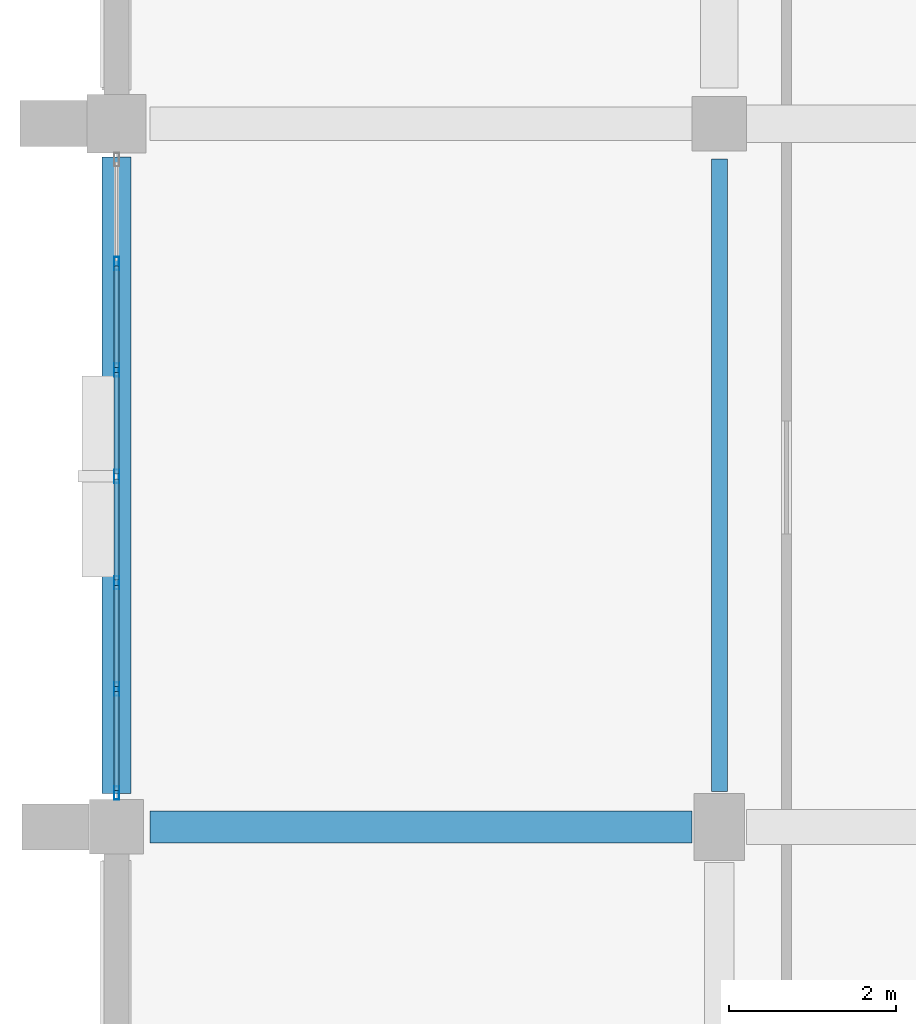
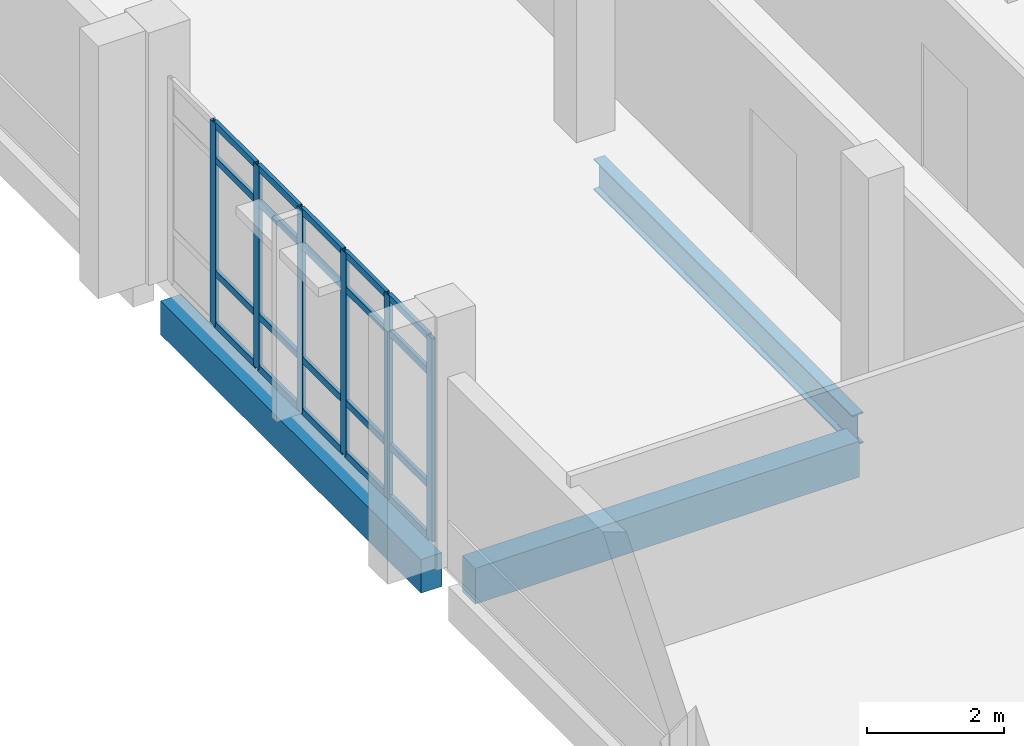
# One storey, part 57 of 124: 26 members, 3 beams, 1 element without a shape of its own.
"""IFC4 building model written with IfcOpenShell, lengths in metres."""

from ifc_helpers import new_model, si_unit, direction, frame, origin, origin_2d, place, context, subcontext, project, spatial, rectangle, hollow_rectangle, i_section, extrude, material, material_profile, profile_set, type_object, element, aggregate, save


model = new_model("IFC4")

# Units and contexts
model_context = context("Model", 3, precision=1e-05, world=origin(), true_north=direction((0.0, 1.0)))
body_context = subcontext(model_context, "Body", "Model", "MODEL_VIEW")
ifc_project = project(units=[si_unit("LENGTHUNIT", "METRE"), si_unit("AREAUNIT", "SQUARE_METRE"), si_unit("VOLUMEUNIT", "CUBIC_METRE"), si_unit("PLANEANGLEUNIT", "RADIAN"), si_unit("MASSUNIT", "GRAM", prefix="KILO")], contexts=[model_context])

# Site, building, storey
site_placement = place(None, origin())
site = spatial("IfcSite", under=ifc_project, at=site_placement, CompositionType="ELEMENT")
building_placement = place(site_placement, origin())
building = spatial("IfcBuilding", under=site, at=building_placement, Name="Kalluvel Institute of Natural Sciences", CompositionType="ELEMENT")
storey_placement = place(building_placement, frame((0.0, 0.0, 9.89990234375)))
storey = spatial("IfcBuildingStorey", under=building, at=storey_placement, Name="L02", CompositionType="ELEMENT", Elevation=9.89990234375)

# Beams
ifc_material_1 = material(Name="Steel E350 Grade 350", Category="steel")
ifc_material_profile_1 = material_profile(ifc_material_1, i_section(OverallWidth=0.18994140625, OverallDepth=0.550048828125, WebThickness=0.01123046875, FlangeThickness=0.019287109375, FilletRadius=0.01806640625, at=origin_2d()), Name="ISMB 550")
ifc_profile_set_1 = profile_set([ifc_material_profile_1], Name="Steel E350 Grade 350")
beam_type_1 = type_object("IfcBeamType", Name="BM-ISMB550", PredefinedType="BEAM", material=ifc_profile_set_1)
beam_1_placement = place(storey_placement, frame((21.199951171875, 86.425048828125, -0.574951171875), z_axis=(0.0, 1.0, 0.0), x_axis=(-1.0, 0.0, 0.0)))
element("IfcBeam", 1, at=beam_1_placement, inside=storey, type_object=beam_type_1, Name="L02 girder GIR-L02-NS-X212-Y860", PredefinedType="BEAM", context=body_context, shape_type="SweptSolid", body=[
    extrude(i_section(OverallWidth=0.18994140625, OverallDepth=0.550048828125, WebThickness=0.01123046875, FlangeThickness=0.019287109375, FilletRadius=0.01806640625, at=origin_2d()), origin(), (0.0, 0.0, 1.0), 7.550048828125),
])
ifc_material_2 = material(Name="Concrete M40", Category="concrete")
ifc_material_profile_2 = material_profile(ifc_material_2, rectangle(XDim=0.3798828125, YDim=0.639892578125, at=origin_2d()), Name="RCB 380x640")
ifc_profile_set_2 = profile_set([ifc_material_profile_2], Name="Concrete M40")
beam_type_2 = type_object("IfcBeamType", Name="BM-RC380x640", PredefinedType="BEAM", material=ifc_profile_set_2)
beam_2_placement = place(storey_placement, frame((14.39990234375, 86.0, -0.619873046875), z_axis=(1.0, 0.0, 0.0), x_axis=(0.0, 1.0, 0.0)))
element("IfcBeam", 2, at=beam_2_placement, inside=storey, type_object=beam_type_2, Name="L02 girder GIR-L02-EW-X140-Y860", PredefinedType="BEAM", context=body_context, shape_type="SweptSolid", body=[
    extrude(rectangle(XDim=0.3798828125, YDim=0.639892578125, at=origin_2d()), origin(), (0.0, 0.0, 1.0), 6.47509765625),
])

# Curtain wall, members
ifc_material_3 = material(Name="Aluminium AW-6063 T6", Category="aluminium")
curtain_wall_type = type_object("IfcCurtainWallType", Name="CW-DRY-45", PredefinedType="USERDEFINED", material=ifc_material_3)
curtain_wall_placement = place(storey_placement, origin())
curtain_wall = element("IfcCurtainWall", 3, at=curtain_wall_placement, inside=storey, type_object=curtain_wall_type, Name="L02 Gothic lancet curtain wall CWA-L02-X140-Y864", ObjectType="UNITISED LANCET FACADE", PredefinedType="USERDEFINED")
ifc_material_profile_3 = material_profile(ifc_material_3, hollow_rectangle(XDim=0.06005859375, YDim=0.159912109375, WallThickness=0.00390625, at=origin_2d()), Name="CWM 60x160")
ifc_profile_set_3 = profile_set([ifc_material_profile_3], Name="Aluminium AW-6063 T6")
member_type_1 = type_object("IfcMemberType", Name="CWM-60x160", PredefinedType="MULLION", material=ifc_profile_set_3)
member_1_placement = place(storey_placement, frame((14.0, 86.405029296875, 0.0), z_axis=(0.0, 0.0, 1.0), x_axis=(-1.0, 0.0, 0.0)))
member_1 = element("IfcMember", 4, at=member_1_placement, type_object=member_type_1, Name="CW-03 mullion 1", PredefinedType="MULLION", context=body_context, shape_type="SweptSolid", body=[
    extrude(hollow_rectangle(XDim=0.06005859375, YDim=0.159912109375, WallThickness=0.00390625, at=origin_2d()), origin(), (0.0, 0.0, 1.0), 3.6201171875),
])
member_2_placement = place(storey_placement, frame((14.0, 87.645751953125, 0.0), z_axis=(0.0, 0.0, 1.0), x_axis=(-1.0, 0.0, 0.0)))
member_2 = element("IfcMember", 5, at=member_2_placement, type_object=member_type_1, Name="CW-03 mullion 2", PredefinedType="MULLION", context=body_context, shape_type="SweptSolid", body=[
    extrude(hollow_rectangle(XDim=0.06005859375, YDim=0.159912109375, WallThickness=0.00390625, at=origin_2d()), origin(), (0.0, 0.0, 1.0), 3.6201171875),
])
member_3_placement = place(storey_placement, frame((14.0, 88.916748046875, 0.0), z_axis=(0.0, 0.0, 1.0), x_axis=(-1.0, 0.0, 0.0)))
member_3 = element("IfcMember", 6, at=member_3_placement, type_object=member_type_1, Name="CW-03 mullion 3", PredefinedType="MULLION", context=body_context, shape_type="SweptSolid", body=[
    extrude(hollow_rectangle(XDim=0.06005859375, YDim=0.159912109375, WallThickness=0.00390625, at=origin_2d()), origin(), (0.0, 0.0, 1.0), 3.6201171875),
])
member_4_placement = place(storey_placement, frame((14.0, 90.1875, 0.0), z_axis=(0.0, 0.0, 1.0), x_axis=(-1.0, 0.0, 0.0)))
member_4 = element("IfcMember", 7, at=member_4_placement, type_object=member_type_1, Name="CW-03 mullion 4", PredefinedType="MULLION", context=body_context, shape_type="SweptSolid", body=[
    extrude(hollow_rectangle(XDim=0.06005859375, YDim=0.159912109375, WallThickness=0.00390625, at=origin_2d()), origin(), (0.0, 0.0, 1.0), 3.6201171875),
])
member_5_placement = place(storey_placement, frame((14.0, 91.458251953125, 0.0), z_axis=(0.0, 0.0, 1.0), x_axis=(-1.0, 0.0, 0.0)))
member_5 = element("IfcMember", 8, at=member_5_placement, type_object=member_type_1, Name="CW-03 mullion 5", PredefinedType="MULLION", context=body_context, shape_type="SweptSolid", body=[
    extrude(hollow_rectangle(XDim=0.06005859375, YDim=0.159912109375, WallThickness=0.00390625, at=origin_2d()), origin(), (0.0, 0.0, 1.0), 3.6201171875),
])
member_6_placement = place(storey_placement, frame((14.0, 92.729248046875, 0.0), z_axis=(0.0, 0.0, 1.0), x_axis=(-1.0, 0.0, 0.0)))
member_6 = element("IfcMember", 9, at=member_6_placement, type_object=member_type_1, Name="CW-03 mullion 6", PredefinedType="MULLION", context=body_context, shape_type="SweptSolid", body=[
    extrude(hollow_rectangle(XDim=0.06005859375, YDim=0.159912109375, WallThickness=0.00390625, at=origin_2d()), origin(), (0.0, 0.0, 1.0), 3.6201171875),
])
ifc_material_profile_4 = material_profile(ifc_material_3, hollow_rectangle(XDim=0.06005859375, YDim=0.1201171875, WallThickness=0.00390625, at=origin_2d()), Name="CWT 60x120")
ifc_profile_set_4 = profile_set([ifc_material_profile_4], Name="Aluminium AW-6063 T6")
member_type_2 = type_object("IfcMemberType", Name="CWT-60x120", PredefinedType="USERDEFINED", material=ifc_profile_set_4)
member_7_placement = place(storey_placement, frame((14.0, 86.43505859375, 0.030029296875), z_axis=(0.0, 1.0, 0.0), x_axis=(-1.0, 0.0, 0.0)))
member_7 = element("IfcMember", 10, at=member_7_placement, type_object=member_type_2, Name="CW-03 transom 1.1", ObjectType="TRANSOM", PredefinedType="USERDEFINED", context=body_context, shape_type="SweptSolid", body=[
    extrude(hollow_rectangle(XDim=0.06005859375, YDim=0.1201171875, WallThickness=0.00390625, at=origin_2d()), origin(), (0.0, 0.0, 1.0), 1.1806640625),
])
member_8_placement = place(storey_placement, frame((14.0, 86.43505859375, 0.9501953125), z_axis=(0.0, 1.0, 0.0), x_axis=(-1.0, 0.0, 0.0)))
member_8 = element("IfcMember", 11, at=member_8_placement, type_object=member_type_2, Name="CW-03 transom 1.2", ObjectType="TRANSOM", PredefinedType="USERDEFINED", context=body_context, shape_type="SweptSolid", body=[
    extrude(hollow_rectangle(XDim=0.06005859375, YDim=0.1201171875, WallThickness=0.00390625, at=origin_2d()), origin(), (0.0, 0.0, 1.0), 1.1806640625),
])
member_9_placement = place(storey_placement, frame((14.0, 86.43505859375, 2.97021484375), z_axis=(0.0, 1.0, 0.0), x_axis=(-1.0, 0.0, 0.0)))
member_9 = element("IfcMember", 12, at=member_9_placement, type_object=member_type_2, Name="CW-03 transom 1.3", ObjectType="TRANSOM", PredefinedType="USERDEFINED", context=body_context, shape_type="SweptSolid", body=[
    extrude(hollow_rectangle(XDim=0.06005859375, YDim=0.1201171875, WallThickness=0.00390625, at=origin_2d()), origin(), (0.0, 0.0, 1.0), 1.1806640625),
])
member_10_placement = place(storey_placement, frame((14.0, 86.43505859375, 3.590087890625), z_axis=(0.0, 1.0, 0.0), x_axis=(-1.0, 0.0, 0.0)))
member_10 = element("IfcMember", 13, at=member_10_placement, type_object=member_type_2, Name="CW-03 transom 1.4", ObjectType="TRANSOM", PredefinedType="USERDEFINED", context=body_context, shape_type="SweptSolid", body=[
    extrude(hollow_rectangle(XDim=0.06005859375, YDim=0.1201171875, WallThickness=0.00390625, at=origin_2d()), origin(), (0.0, 0.0, 1.0), 1.1806640625),
])
member_11_placement = place(storey_placement, frame((14.0, 87.67578125, 0.030029296875), z_axis=(0.0, 1.0, 0.0), x_axis=(-1.0, 0.0, 0.0)))
member_11 = element("IfcMember", 14, at=member_11_placement, type_object=member_type_2, Name="CW-03 transom 2.1", ObjectType="TRANSOM", PredefinedType="USERDEFINED", context=body_context, shape_type="SweptSolid", body=[
    extrude(hollow_rectangle(XDim=0.06005859375, YDim=0.1201171875, WallThickness=0.00390625, at=origin_2d()), origin(), (0.0, 0.0, 1.0), 1.2109375),
])
member_12_placement = place(storey_placement, frame((14.0, 87.67578125, 0.9501953125), z_axis=(0.0, 1.0, 0.0), x_axis=(-1.0, 0.0, 0.0)))
member_12 = element("IfcMember", 15, at=member_12_placement, type_object=member_type_2, Name="CW-03 transom 2.2", ObjectType="TRANSOM", PredefinedType="USERDEFINED", context=body_context, shape_type="SweptSolid", body=[
    extrude(hollow_rectangle(XDim=0.06005859375, YDim=0.1201171875, WallThickness=0.00390625, at=origin_2d()), origin(), (0.0, 0.0, 1.0), 1.2109375),
])
member_13_placement = place(storey_placement, frame((14.0, 87.67578125, 2.97021484375), z_axis=(0.0, 1.0, 0.0), x_axis=(-1.0, 0.0, 0.0)))
member_13 = element("IfcMember", 16, at=member_13_placement, type_object=member_type_2, Name="CW-03 transom 2.3", ObjectType="TRANSOM", PredefinedType="USERDEFINED", context=body_context, shape_type="SweptSolid", body=[
    extrude(hollow_rectangle(XDim=0.06005859375, YDim=0.1201171875, WallThickness=0.00390625, at=origin_2d()), origin(), (0.0, 0.0, 1.0), 1.2109375),
])
member_14_placement = place(storey_placement, frame((14.0, 87.67578125, 3.590087890625), z_axis=(0.0, 1.0, 0.0), x_axis=(-1.0, 0.0, 0.0)))
member_14 = element("IfcMember", 17, at=member_14_placement, type_object=member_type_2, Name="CW-03 transom 2.4", ObjectType="TRANSOM", PredefinedType="USERDEFINED", context=body_context, shape_type="SweptSolid", body=[
    extrude(hollow_rectangle(XDim=0.06005859375, YDim=0.1201171875, WallThickness=0.00390625, at=origin_2d()), origin(), (0.0, 0.0, 1.0), 1.2109375),
])
member_15_placement = place(storey_placement, frame((14.0, 88.94677734375, 0.030029296875), z_axis=(0.0, 1.0, 0.0), x_axis=(-1.0, 0.0, 0.0)))
member_15 = element("IfcMember", 18, at=member_15_placement, type_object=member_type_2, Name="CW-03 transom 3.1", ObjectType="TRANSOM", PredefinedType="USERDEFINED", context=body_context, shape_type="SweptSolid", body=[
    extrude(hollow_rectangle(XDim=0.06005859375, YDim=0.1201171875, WallThickness=0.00390625, at=origin_2d()), origin(), (0.0, 0.0, 1.0), 1.210693359375),
])
member_16_placement = place(storey_placement, frame((14.0, 88.94677734375, 0.9501953125), z_axis=(0.0, 1.0, 0.0), x_axis=(-1.0, 0.0, 0.0)))
member_16 = element("IfcMember", 19, at=member_16_placement, type_object=member_type_2, Name="CW-03 transom 3.2", ObjectType="TRANSOM", PredefinedType="USERDEFINED", context=body_context, shape_type="SweptSolid", body=[
    extrude(hollow_rectangle(XDim=0.06005859375, YDim=0.1201171875, WallThickness=0.00390625, at=origin_2d()), origin(), (0.0, 0.0, 1.0), 1.210693359375),
])
member_17_placement = place(storey_placement, frame((14.0, 88.94677734375, 2.97021484375), z_axis=(0.0, 1.0, 0.0), x_axis=(-1.0, 0.0, 0.0)))
member_17 = element("IfcMember", 20, at=member_17_placement, type_object=member_type_2, Name="CW-03 transom 3.3", ObjectType="TRANSOM", PredefinedType="USERDEFINED", context=body_context, shape_type="SweptSolid", body=[
    extrude(hollow_rectangle(XDim=0.06005859375, YDim=0.1201171875, WallThickness=0.00390625, at=origin_2d()), origin(), (0.0, 0.0, 1.0), 1.210693359375),
])
member_18_placement = place(storey_placement, frame((14.0, 88.94677734375, 3.590087890625), z_axis=(0.0, 1.0, 0.0), x_axis=(-1.0, 0.0, 0.0)))
member_18 = element("IfcMember", 21, at=member_18_placement, type_object=member_type_2, Name="CW-03 transom 3.4", ObjectType="TRANSOM", PredefinedType="USERDEFINED", context=body_context, shape_type="SweptSolid", body=[
    extrude(hollow_rectangle(XDim=0.06005859375, YDim=0.1201171875, WallThickness=0.00390625, at=origin_2d()), origin(), (0.0, 0.0, 1.0), 1.210693359375),
])
member_19_placement = place(storey_placement, frame((14.0, 90.217529296875, 0.030029296875), z_axis=(0.0, 1.0, 0.0), x_axis=(-1.0, 0.0, 0.0)))
member_19 = element("IfcMember", 22, at=member_19_placement, type_object=member_type_2, Name="CW-03 transom 4.1", ObjectType="TRANSOM", PredefinedType="USERDEFINED", context=body_context, shape_type="SweptSolid", body=[
    extrude(hollow_rectangle(XDim=0.06005859375, YDim=0.1201171875, WallThickness=0.00390625, at=origin_2d()), origin(), (0.0, 0.0, 1.0), 1.210693359375),
])
member_20_placement = place(storey_placement, frame((14.0, 90.217529296875, 0.9501953125), z_axis=(0.0, 1.0, 0.0), x_axis=(-1.0, 0.0, 0.0)))
member_20 = element("IfcMember", 23, at=member_20_placement, type_object=member_type_2, Name="CW-03 transom 4.2", ObjectType="TRANSOM", PredefinedType="USERDEFINED", context=body_context, shape_type="SweptSolid", body=[
    extrude(hollow_rectangle(XDim=0.06005859375, YDim=0.1201171875, WallThickness=0.00390625, at=origin_2d()), origin(), (0.0, 0.0, 1.0), 1.210693359375),
])
member_21_placement = place(storey_placement, frame((14.0, 90.217529296875, 2.97021484375), z_axis=(0.0, 1.0, 0.0), x_axis=(-1.0, 0.0, 0.0)))
member_21 = element("IfcMember", 24, at=member_21_placement, type_object=member_type_2, Name="CW-03 transom 4.3", ObjectType="TRANSOM", PredefinedType="USERDEFINED", context=body_context, shape_type="SweptSolid", body=[
    extrude(hollow_rectangle(XDim=0.06005859375, YDim=0.1201171875, WallThickness=0.00390625, at=origin_2d()), origin(), (0.0, 0.0, 1.0), 1.210693359375),
])
member_22_placement = place(storey_placement, frame((14.0, 90.217529296875, 3.590087890625), z_axis=(0.0, 1.0, 0.0), x_axis=(-1.0, 0.0, 0.0)))
member_22 = element("IfcMember", 25, at=member_22_placement, type_object=member_type_2, Name="CW-03 transom 4.4", ObjectType="TRANSOM", PredefinedType="USERDEFINED", context=body_context, shape_type="SweptSolid", body=[
    extrude(hollow_rectangle(XDim=0.06005859375, YDim=0.1201171875, WallThickness=0.00390625, at=origin_2d()), origin(), (0.0, 0.0, 1.0), 1.210693359375),
])
member_23_placement = place(storey_placement, frame((14.0, 91.48828125, 0.030029296875), z_axis=(0.0, 1.0, 0.0), x_axis=(-1.0, 0.0, 0.0)))
member_23 = element("IfcMember", 26, at=member_23_placement, type_object=member_type_2, Name="CW-03 transom 5.1", ObjectType="TRANSOM", PredefinedType="USERDEFINED", context=body_context, shape_type="SweptSolid", body=[
    extrude(hollow_rectangle(XDim=0.06005859375, YDim=0.1201171875, WallThickness=0.00390625, at=origin_2d()), origin(), (0.0, 0.0, 1.0), 1.2109375),
])
member_24_placement = place(storey_placement, frame((14.0, 91.48828125, 0.9501953125), z_axis=(0.0, 1.0, 0.0), x_axis=(-1.0, 0.0, 0.0)))
member_24 = element("IfcMember", 27, at=member_24_placement, type_object=member_type_2, Name="CW-03 transom 5.2", ObjectType="TRANSOM", PredefinedType="USERDEFINED", context=body_context, shape_type="SweptSolid", body=[
    extrude(hollow_rectangle(XDim=0.06005859375, YDim=0.1201171875, WallThickness=0.00390625, at=origin_2d()), origin(), (0.0, 0.0, 1.0), 1.2109375),
])
member_25_placement = place(storey_placement, frame((14.0, 91.48828125, 2.97021484375), z_axis=(0.0, 1.0, 0.0), x_axis=(-1.0, 0.0, 0.0)))
member_25 = element("IfcMember", 28, at=member_25_placement, type_object=member_type_2, Name="CW-03 transom 5.3", ObjectType="TRANSOM", PredefinedType="USERDEFINED", context=body_context, shape_type="SweptSolid", body=[
    extrude(hollow_rectangle(XDim=0.06005859375, YDim=0.1201171875, WallThickness=0.00390625, at=origin_2d()), origin(), (0.0, 0.0, 1.0), 1.2109375),
])
member_26_placement = place(storey_placement, frame((14.0, 91.48828125, 3.590087890625), z_axis=(0.0, 1.0, 0.0), x_axis=(-1.0, 0.0, 0.0)))
member_26 = element("IfcMember", 29, at=member_26_placement, type_object=member_type_2, Name="CW-03 transom 5.4", ObjectType="TRANSOM", PredefinedType="USERDEFINED", context=body_context, shape_type="SweptSolid", body=[
    extrude(hollow_rectangle(XDim=0.06005859375, YDim=0.1201171875, WallThickness=0.00390625, at=origin_2d()), origin(), (0.0, 0.0, 1.0), 1.2109375),
])
aggregate(curtain_wall, [member_1, member_2, member_3, member_4, member_5, member_6, member_7, member_8, member_9, member_10, member_11, member_12, member_13, member_14, member_15, member_16, member_17, member_18, member_19, member_20, member_21, member_22, member_23, member_24, member_25, member_26])

# Beam
ifc_material_profile_5 = material_profile(ifc_material_2, rectangle(XDim=0.35009765625, YDim=0.60009765625, at=origin_2d()), Name="RCB 350x600")
ifc_profile_set_5 = profile_set([ifc_material_profile_5], Name="Concrete M40")
beam_type_3 = type_object("IfcBeamType", Name="SP-RC350x600", PredefinedType="SPANDREL", material=ifc_profile_set_5)
beam_3_placement = place(storey_placement, frame((14.0, 86.39990234375, -0.599853515625), z_axis=(0.0, 1.0, 0.0), x_axis=(-1.0, 0.0, 0.0)))
element("IfcBeam", 30, at=beam_3_placement, inside=storey, type_object=beam_type_3, Name="L02 girder GIR-L02-NS-X140-Y860", PredefinedType="SPANDREL", context=body_context, shape_type="SweptSolid", body=[
    extrude(rectangle(XDim=0.35009765625, YDim=0.60009765625, at=origin_2d()), origin(), (0.0, 0.0, 1.0), 7.60009765625),
])

save(model, "model.ifc")
